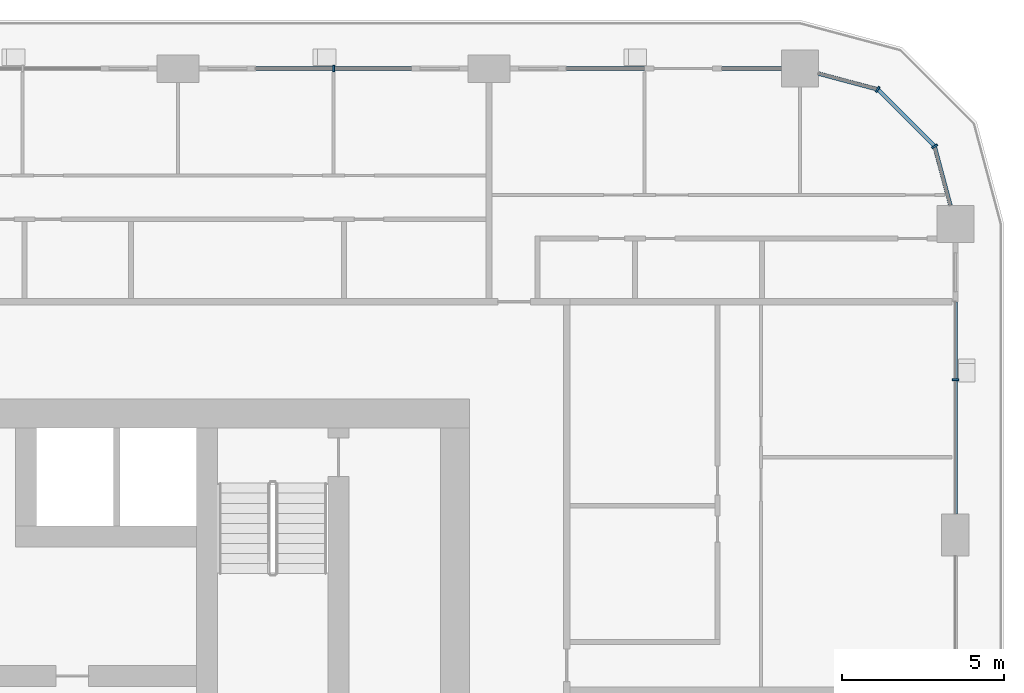
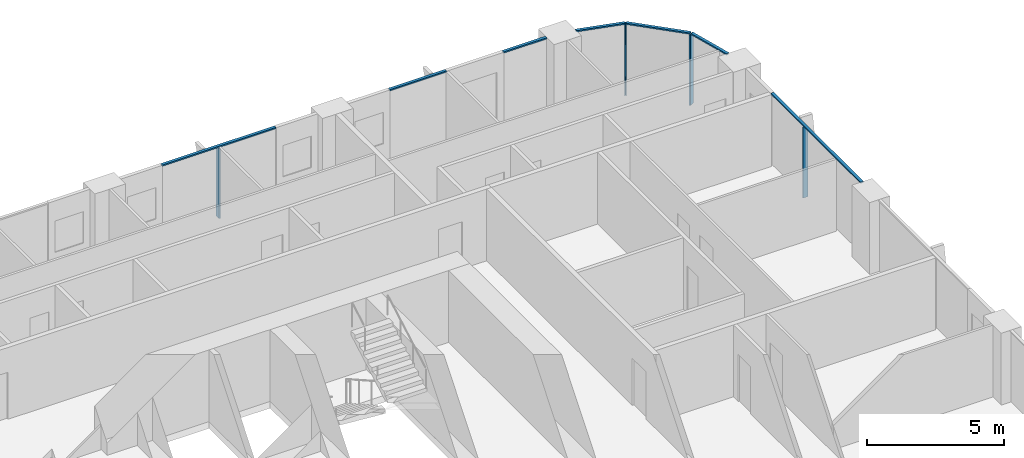
# One storey, part 6 of 22: 11 members, 4 elements without a shape of their own.
"""IFC4 building model written with IfcOpenShell, lengths in metres."""

from ifc_helpers import new_model, si_unit, direction, frame, origin, origin_2d, place, context, subcontext, project, spatial, rectangle, extrude, material, layer, layer_set, material_profile, profile_set, type_object, element, aggregate, save


model = new_model("IFC4")

# Units and contexts
model_context = context("Model", 3, precision=1e-05, world=origin(), true_north=direction((0.0, 1.0)))
body_context = subcontext(model_context, "Body", "Model", "MODEL_VIEW")
ifc_project = project(units=[si_unit("LENGTHUNIT", "METRE"), si_unit("AREAUNIT", "SQUARE_METRE"), si_unit("VOLUMEUNIT", "CUBIC_METRE"), si_unit("PLANEANGLEUNIT", "RADIAN"), si_unit("MASSUNIT", "GRAM", prefix="KILO")], contexts=[model_context])

# Site, building, storey
site_placement = place(None, origin())
site = spatial("IfcSite", under=ifc_project, at=site_placement, CompositionType="ELEMENT")
building_placement = place(site_placement, origin())
building = spatial("IfcBuilding", under=site, at=building_placement, Name="Madar Terraces", CompositionType="ELEMENT")
storey_placement = place(building_placement, frame((0.0, 0.0, 62.800048828125)))
storey = spatial("IfcBuildingStorey", under=building, at=storey_placement, Name="L15", CompositionType="ELEMENT", Elevation=62.800048828125)

# Curtain wall, member
ifc_material_1 = material(Name="Glass, ceramic frit dark grey, with black aluminium frame", Category="aluminium")
ifc_layer = layer(ifc_material_1, 0.199951171875)
ifc_layer_set = layer_set([ifc_layer], Name="Facade curtain wall, fritted glass")
curtain_wall_type = type_object("IfcCurtainWallType", Name="Facade curtain wall, fritted glass", PredefinedType="NOTDEFINED", material=ifc_layer_set)
curtain_wall_1_placement = place(storey_placement, origin())
curtain_wall_1 = element("IfcCurtainWall", 1, at=curtain_wall_1_placement, inside=storey, type_object=curtain_wall_type, Name="Outer skin curtain wall east bay 4", PredefinedType="NOTDEFINED")
ifc_material_2 = material(Name="Aluminium, black anodised", Category="aluminium")
ifc_material_profile_1 = material_profile(ifc_material_2, rectangle(XDim=0.199951171875, YDim=0.06005859375, at=origin_2d()), Name="Facade mullion 60x200")
ifc_profile_set_1 = profile_set([ifc_material_profile_1], Name="Aluminium, black anodised")
member_type_1 = type_object("IfcMemberType", Name="Facade mullion 60x200", PredefinedType="MULLION", material=ifc_profile_set_1)
member_1_placement = place(storey_placement, frame((62.39990234375, 38.39990234375, 0.0), z_axis=(0.0, 0.0, 1.0), x_axis=(-1.0, 0.0, 0.0)))
member_1 = element("IfcMember", 2, at=member_1_placement, type_object=member_type_1, Name="Mullion 1", PredefinedType="MULLION", context=body_context, shape_type="SweptSolid", body=[
    extrude(rectangle(XDim=0.199951171875, YDim=0.06005859375, at=origin_2d()), origin(), (0.0, 0.0, 1.0), 3.139892578125),
])

curtain_wall_2_placement = place(storey_placement, origin())
curtain_wall_2 = element("IfcCurtainWall", 3, at=curtain_wall_2_placement, inside=storey, type_object=curtain_wall_type, Name="Outer skin curtain wall north bay 2", PredefinedType="NOTDEFINED")
member_2_placement = place(storey_placement, frame((43.199951171875, 48.0, 0.0), z_axis=(0.0, 0.0, 1.0), x_axis=(0.0, -1.0, 0.0)))
member_2 = element("IfcMember", 4, at=member_2_placement, type_object=member_type_1, Name="Mullion 1", PredefinedType="MULLION", context=body_context, shape_type="SweptSolid", body=[
    extrude(rectangle(XDim=0.199951171875, YDim=0.06005859375, at=origin_2d()), origin(), (0.0, 0.0, 1.0), 3.139892578125),
])

# Curtain wall, members
curtain_wall_3_placement = place(storey_placement, origin())
curtain_wall_3 = element("IfcCurtainWall", 5, at=curtain_wall_3_placement, inside=storey, type_object=curtain_wall_type, Name="Outer skin curtain wall north-east corner", PredefinedType="NOTDEFINED")
member_3_placement = place(storey_placement, frame((61.7568359375, 45.60009765625, 0.0), z_axis=(0.0, 0.0, 1.0), x_axis=(-0.866025409797, -0.499999989586, 0.0)))
member_3 = element("IfcMember", 6, at=member_3_placement, type_object=member_type_1, Name="Mullion 1", PredefinedType="MULLION", context=body_context, shape_type="SweptSolid", body=[
    extrude(rectangle(XDim=0.199951171875, YDim=0.06005859375, at=origin_2d()), origin(), (0.0, 0.0, 1.0), 3.139892578125),
])
member_4_placement = place(storey_placement, frame((60.0, 47.35693359375, 0.0), z_axis=(0.0, 0.0, 1.0), x_axis=(-0.499999989586, -0.866025409797, 0.0)))
member_4 = element("IfcMember", 7, at=member_4_placement, type_object=member_type_1, Name="Mullion 2", PredefinedType="MULLION", context=body_context, shape_type="SweptSolid", body=[
    extrude(rectangle(XDim=0.199951171875, YDim=0.06005859375, at=origin_2d()), origin(), (0.0, 0.0, 1.0), 3.139892578125),
])

# Member
ifc_material_3 = material(Name="Aluminium, black anodised", Category="aluminium")
ifc_material_profile_2 = material_profile(ifc_material_3, rectangle(XDim=0.1201171875, YDim=0.06005859375, at=origin_2d()), Name="Facade transom 60x120")
ifc_profile_set_2 = profile_set([ifc_material_profile_2], Name="Aluminium, black anodised")
member_type_2 = type_object("IfcMemberType", Name="Facade transom 60x120", PredefinedType="USERDEFINED", material=ifc_profile_set_2)
member_5_placement = place(storey_placement, frame((62.39990234375, 34.25, 3.169921875), z_axis=(0.0, 1.0, 0.0), x_axis=(-1.0, 0.0, 0.0)))
member_5 = element("IfcMember", 8, at=member_5_placement, type_object=member_type_2, Name="Transom 1", ObjectType="TRANSOM", PredefinedType="USERDEFINED", context=body_context, shape_type="SweptSolid", body=[
    extrude(rectangle(XDim=0.1201171875, YDim=0.06005859375, at=origin_2d()), origin(), (0.0, 0.0, 1.0), 6.550048828125),
])

aggregate(curtain_wall_1, [member_1, member_5])

# Curtain wall, members
curtain_wall_4_placement = place(storey_placement, origin())
curtain_wall_4 = element("IfcCurtainWall", 9, at=curtain_wall_4_placement, inside=storey, type_object=curtain_wall_type, Name="Outer skin curtain wall north bay 1", PredefinedType="NOTDEFINED")
member_6_placement = place(storey_placement, frame((57.02490234375, 48.0, 3.169921875), z_axis=(-1.0, 0.0, 0.0), x_axis=(0.0, -1.0, 0.0)))
member_6 = element("IfcMember", 10, at=member_6_placement, type_object=member_type_2, Name="Transom 1", ObjectType="TRANSOM", PredefinedType="USERDEFINED", context=body_context, shape_type="SweptSolid", body=[
    extrude(rectangle(XDim=0.1201171875, YDim=0.06005859375, at=origin_2d()), origin(), (0.0, 0.0, 1.0), 1.824951171875),
])
member_7_placement = place(storey_placement, frame((52.800048828125, 48.0, 3.169921875), z_axis=(-1.0, 0.0, 0.0), x_axis=(0.0, -1.0, 0.0)))
member_7 = element("IfcMember", 11, at=member_7_placement, type_object=member_type_2, Name="Transom 2", ObjectType="TRANSOM", PredefinedType="USERDEFINED", context=body_context, shape_type="SweptSolid", body=[
    extrude(rectangle(XDim=0.1201171875, YDim=0.06005859375, at=origin_2d()), origin(), (0.0, 0.0, 1.0), 2.400146484375),
])
aggregate(curtain_wall_4, [member_6, member_7])

# Member
member_8_placement = place(storey_placement, frame((45.60009765625, 48.0, 3.169921875), z_axis=(-1.0, 0.0, 0.0), x_axis=(0.0, -1.0, 0.0)))
member_8 = element("IfcMember", 12, at=member_8_placement, type_object=member_type_2, Name="Transom 1", ObjectType="TRANSOM", PredefinedType="USERDEFINED", context=body_context, shape_type="SweptSolid", body=[
    extrude(rectangle(XDim=0.1201171875, YDim=0.06005859375, at=origin_2d()), origin(), (0.0, 0.0, 1.0), 4.800048828125),
])

aggregate(curtain_wall_2, [member_2, member_8])

member_9_placement = place(storey_placement, frame((62.245849609375, 43.77490234375, 3.169921875), z_axis=(-0.258782024434, 0.965935745187, 0.0), x_axis=(-0.965935745187, -0.258782024434, 0.0)))
member_9 = element("IfcMember", 13, at=member_9_placement, type_object=member_type_2, Name="Transom 1", ObjectType="TRANSOM", PredefinedType="USERDEFINED", context=body_context, shape_type="SweptSolid", body=[
    extrude(rectangle(XDim=0.1201171875, YDim=0.06005859375, at=origin_2d()), origin(), (0.0, 0.0, 1.0), 1.859375),
])

member_10_placement = place(storey_placement, frame((61.735595703125, 45.62109375, 3.169921875), z_axis=(-0.707056433593, 0.707157125196, 0.0), x_axis=(-0.707157125196, -0.707056433593, 0.0)))
member_10 = element("IfcMember", 14, at=member_10_placement, type_object=member_type_2, Name="Transom 2", ObjectType="TRANSOM", PredefinedType="USERDEFINED", context=body_context, shape_type="SweptSolid", body=[
    extrude(rectangle(XDim=0.1201171875, YDim=0.06005859375, at=origin_2d()), origin(), (0.0, 0.0, 1.0), 2.424560546875),
])

member_11_placement = place(storey_placement, frame((59.970947265625, 47.36474609375, 3.169921875), z_axis=(-0.965926950947, 0.258814847786, 0.0), x_axis=(-0.258814847786, -0.965926950947, 0.0)))
member_11 = element("IfcMember", 15, at=member_11_placement, type_object=member_type_2, Name="Transom 3", ObjectType="TRANSOM", PredefinedType="USERDEFINED", context=body_context, shape_type="SweptSolid", body=[
    extrude(rectangle(XDim=0.1201171875, YDim=0.06005859375, at=origin_2d()), origin(), (0.0, 0.0, 1.0), 1.859130859375),
])

aggregate(curtain_wall_3, [member_3, member_9, member_4, member_10, member_11])

save(model, "model.ifc")
